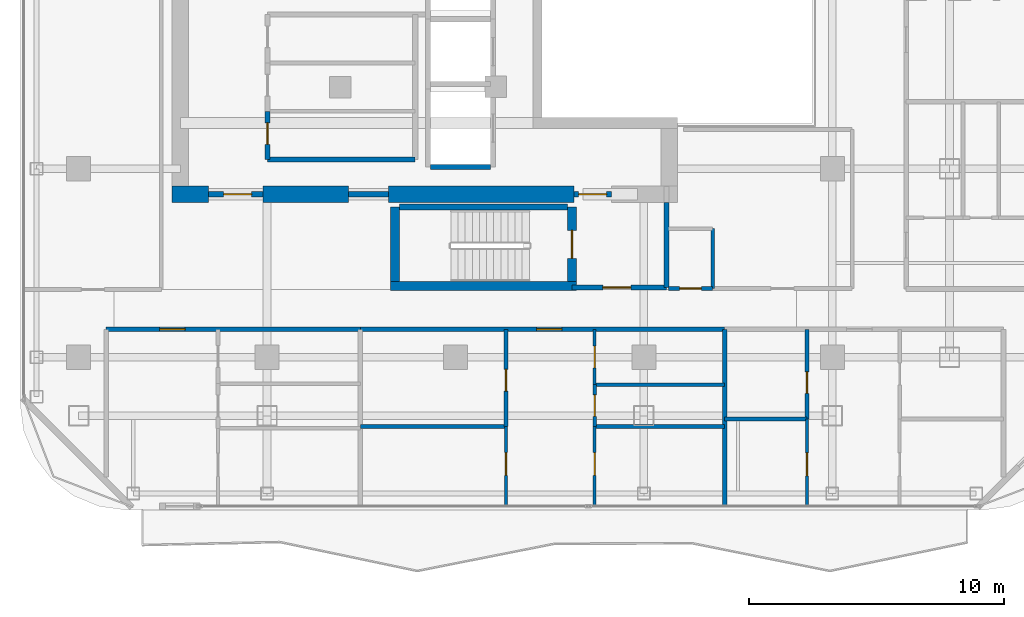
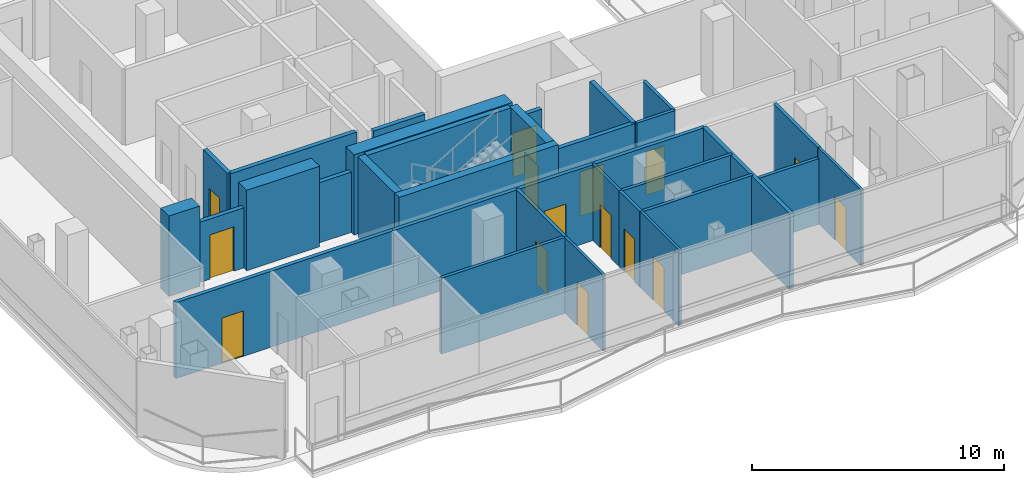
# One storey, part 17 of 24: 31 walls, 15 doors, 15 openings.
"""IFC4 building model written with IfcOpenShell, lengths in metres."""

from ifc_helpers import new_model, si_unit, direction, frame, frame_2d, origin, place, context, subcontext, project, spatial, rectangle, extrude, material, layer, layer_set, type_object, element, fill, save


model = new_model("IFC4")

# Units and contexts
model_context = context("Model", 3, precision=1e-05, world=origin(), true_north=direction((0.0, 1.0)))
body_context = subcontext(model_context, "Body", "Model", "MODEL_VIEW")
ifc_project = project(units=[si_unit("LENGTHUNIT", "METRE"), si_unit("AREAUNIT", "SQUARE_METRE"), si_unit("VOLUMEUNIT", "CUBIC_METRE"), si_unit("PLANEANGLEUNIT", "RADIAN"), si_unit("MASSUNIT", "GRAM", prefix="KILO")], contexts=[model_context])

# Site, building, storey
site_placement = place(None, origin())
site = spatial("IfcSite", under=ifc_project, at=site_placement, CompositionType="ELEMENT")
building_placement = place(site_placement, origin())
building = spatial("IfcBuilding", under=site, at=building_placement, Name="Khorvyn Point Tower", CompositionType="ELEMENT")
storey_placement = place(building_placement, frame((0.0, 0.0, 266.39990234375)))
storey = spatial("IfcBuildingStorey", under=building, at=storey_placement, Name="L65", CompositionType="ELEMENT", Elevation=266.39990234375)

# Wall, opening, door
ifc_material_1 = material(Name="Double acoustic gypsum on twin steel stud", Category="steel")
ifc_layer_1 = layer(ifc_material_1, 0.179931640625)
ifc_layer_set_1 = layer_set([ifc_layer_1], Name="Acoustic Double-Stud Apartment Demising Wall 180")
wall_type_1 = type_object("IfcWallType", Name="Acoustic Double-Stud Apartment Demising Wall 180", PredefinedType="PARTITIONING", material=ifc_layer_set_1)
wall_1_placement = place(storey_placement, frame((-13.719970703125, -13.699951171875, 0.0), z_axis=(0.0, 0.0, 1.0), x_axis=(1.0, 0.0, 0.0)))
wall_1 = element("IfcWall", 1, at=wall_1_placement, inside=storey, type_object=wall_type_1, Name="Wall", PredefinedType="PARTITIONING", context=body_context, shape_type="SweptSolid", body=[
    extrude(rectangle(XDim=9.98486328125, YDim=0.179931640625, at=frame_2d((4.992431640625, 0.0))), origin(), (0.0, 0.0, 1.0), 3.68017578125),
])
opening_1_placement = place(wall_1_placement, frame((2.105224609375, 0.0, 0.0)))
opening_1 = element("IfcOpeningElement", 2, at=opening_1_placement, cuts=wall_1, Name="Opening ID-AP60", PredefinedType="OPENING", context=body_context, shape_type="SweptSolid", body=[
    extrude(rectangle(XDim=1.0, YDim=2.199951171875, at=frame_2d((0.5, 1.10009765625))), frame((0.0, 0.099853515625, 0.0), z_axis=(0.0, -1.0, 0.0), x_axis=(1.0, 0.0, 0.0)), (0.0, 0.0, 1.0), 0.199951171875),
])
ifc_material_2 = material(Name="Engineered hardwood fire-rated leaf", Category="wood")
door_type_1 = type_object("IfcDoorType", Name="Acoustic Solid-Core Timber Apartment Entrance Door 1000x2200", OperationType="NOTDEFINED", PredefinedType="DOOR", material=ifc_material_2)
door_1_placement = place(opening_1_placement, origin())
door_1 = element("IfcDoor", 3, at=door_1_placement, inside=storey, type_object=door_type_1, Name="Door", OperationType="SINGLE_SWING_RIGHT", OverallHeight=2.199951171875, OverallWidth=1.0, PredefinedType="DOOR", context=body_context, shape_type="SweptSolid", body=[
    extrude(rectangle(XDim=1.0, YDim=2.199951171875, at=frame_2d((0.5, 1.10009765625))), frame((0.0, 0.02490234375, 0.0), z_axis=(0.0, -1.0, 0.0), x_axis=(1.0, 0.0, 0.0)), (0.0, 0.0, 1.0), 0.050048828125),
])
fill(opening_1, door_1)

wall_2_placement = place(storey_placement, frame((-3.735107421875, -13.699951171875, 0.0), z_axis=(0.0, 0.0, 1.0), x_axis=(1.0, 0.0, 0.0)))
wall_2 = element("IfcWall", 4, at=wall_2_placement, inside=storey, type_object=wall_type_1, Name="Wall", PredefinedType="PARTITIONING", context=body_context, shape_type="SweptSolid", body=[
    extrude(rectangle(XDim=14.301025390625, YDim=0.179931640625, at=frame_2d((7.150390625, 0.0))), origin(), (0.0, 0.0, 1.0), 3.68017578125),
])
opening_2_placement = place(wall_2_placement, frame((6.917236328125, 0.0, 0.0)))
opening_2 = element("IfcOpeningElement", 5, at=opening_2_placement, cuts=wall_2, Name="Opening ID-AP60", PredefinedType="OPENING", context=body_context, shape_type="SweptSolid", body=[
    extrude(rectangle(XDim=1.0, YDim=2.199951171875, at=frame_2d((0.5, 1.10009765625))), frame((0.0, 0.099853515625, 0.0), z_axis=(0.0, -1.0, 0.0), x_axis=(1.0, 0.0, 0.0)), (0.0, 0.0, 1.0), 0.199951171875),
])
door_2_placement = place(opening_2_placement, origin())
door_2 = element("IfcDoor", 6, at=door_2_placement, inside=storey, type_object=door_type_1, Name="Door", OperationType="SINGLE_SWING_RIGHT", OverallHeight=2.199951171875, OverallWidth=1.0, PredefinedType="DOOR", context=body_context, shape_type="SweptSolid", body=[
    extrude(rectangle(XDim=1.0, YDim=2.199951171875, at=frame_2d((0.5, 1.10009765625))), frame((0.0, 0.02490234375, 0.0), z_axis=(0.0, -1.0, 0.0), x_axis=(1.0, 0.0, 0.0)), (0.0, 0.0, 1.0), 0.050048828125),
])
fill(opening_2, door_2)

# Walls
wall_3_placement = place(storey_placement, frame((10.56591796875, -20.6298828125, 0.0), z_axis=(0.0, 0.0, 1.0), x_axis=(0.0, 1.0, 0.0)))
element("IfcWall", 7, at=wall_3_placement, inside=storey, type_object=wall_type_1, Name="Wall", PredefinedType="PARTITIONING", context=body_context, shape_type="SweptSolid", body=[
    extrude(rectangle(XDim=6.929931640625, YDim=0.179931640625, at=frame_2d((3.46484375, 0.0))), origin(), (0.0, 0.0, 1.0), 3.68017578125),
])
ifc_material_3 = material(Name="Concrete C40/50", Category="concrete")
ifc_layer_2 = layer(ifc_material_3, 0.64990234375)
ifc_layer_set_2 = layer_set([ifc_layer_2], Name="Concrete C40/50 Core Shear Wall 650")
wall_type_2 = type_object("IfcWallType", Name="Concrete C40/50 Core Shear Wall 650", PredefinedType="SHEAR", material=ifc_layer_set_2)
wall_4_placement = place(storey_placement, frame((-11.125, -8.39990234375, 0.0), z_axis=(0.0, 0.0, 1.0), x_axis=(1.0, 0.0, 0.0)))
element("IfcWall", 8, at=wall_4_placement, inside=storey, type_object=wall_type_2, Name="Wall", PredefinedType="SHEAR", context=body_context, shape_type="SweptSolid", body=[
    extrude(rectangle(XDim=1.425048828125, YDim=0.64990234375, at=frame_2d((0.71240234375, 0.0))), origin(), (0.0, 0.0, 1.0), 3.900146484375),
])
wall_5_placement = place(storey_placement, frame((-7.550048828125, -8.39990234375, 0.0), z_axis=(0.0, 0.0, 1.0), x_axis=(1.0, 0.0, 0.0)))
element("IfcWall", 9, at=wall_5_placement, inside=storey, type_object=wall_type_2, Name="Wall", PredefinedType="SHEAR", context=body_context, shape_type="SweptSolid", body=[
    extrude(rectangle(XDim=3.35009765625, YDim=0.64990234375, at=frame_2d((1.675048828125, 0.0))), origin(), (0.0, 0.0, 1.0), 3.900146484375),
])
wall_6_placement = place(storey_placement, frame((-2.6201171875, -8.39990234375, 0.0), z_axis=(0.0, 0.0, 1.0), x_axis=(1.0, 0.0, 0.0)))
element("IfcWall", 10, at=wall_6_placement, inside=storey, type_object=wall_type_2, Name="Wall", PredefinedType="SHEAR", context=body_context, shape_type="SweptSolid", body=[
    extrude(rectangle(XDim=7.27001953125, YDim=0.64990234375, at=frame_2d((3.635009765625, 0.0))), origin(), (0.0, 0.0, 1.0), 3.900146484375),
])

# Wall, opening, door
ifc_layer_3 = layer(ifc_material_3, 0.199951171875)
ifc_layer_set_3 = layer_set([ifc_layer_3], Name="Concrete C40/50 Fire-Lobby Compartment Wall 200")
wall_type_3 = type_object("IfcWallType", Name="Concrete C40/50 Fire-Lobby Compartment Wall 200", PredefinedType="SOLIDWALL", material=ifc_layer_set_3)
wall_7_placement = place(storey_placement, frame((4.580078125, -12.06005859375, 0.0), z_axis=(0.0, 0.0, 1.0), x_axis=(1.0, 0.0, 0.0)))
wall_7 = element("IfcWall", 11, at=wall_7_placement, inside=storey, type_object=wall_type_3, Name="Wall", PredefinedType="SOLIDWALL", context=body_context, shape_type="SweptSolid", body=[
    extrude(rectangle(XDim=3.699951171875, YDim=0.199951171875, at=frame_2d((1.85009765625, 0.0))), origin(), (0.0, 0.0, 1.0), 3.68017578125),
])
opening_3_placement = place(wall_7_placement, frame((1.21240234375, 0.0, 0.0)))
opening_3 = element("IfcOpeningElement", 12, at=opening_3_placement, cuts=wall_7, Name="Opening ID-FL90", PredefinedType="OPENING", context=body_context, shape_type="SweptSolid", body=[
    extrude(rectangle(XDim=1.10009765625, YDim=2.14990234375, at=frame_2d((0.550048828125, 1.074951171875))), frame((0.0, 0.10986328125, 0.0), z_axis=(0.0, -1.0, 0.0), x_axis=(1.0, 0.0, 0.0)), (0.0, 0.0, 1.0), 0.219970703125),
])
ifc_material_4 = material(Name="Galvanised powder-coated steel", Category="steel")
door_type_2 = type_object("IfcDoorType", Name="Fire-Rated Steel Lobby and Stair Door 1100x2150", OperationType="NOTDEFINED", PredefinedType="DOOR", material=ifc_material_4)
door_3_placement = place(opening_3_placement, origin())
door_3 = element("IfcDoor", 13, at=door_3_placement, inside=storey, type_object=door_type_2, Name="Door", OperationType="SINGLE_SWING_LEFT", OverallHeight=2.14990234375, OverallWidth=1.10009765625, PredefinedType="DOOR", context=body_context, shape_type="SweptSolid", body=[
    extrude(rectangle(XDim=1.10009765625, YDim=2.14990234375, at=frame_2d((0.550048828125, 1.074951171875))), frame((0.0, 0.02490234375, 0.0), z_axis=(0.0, -1.0, 0.0), x_axis=(1.0, 0.0, 0.0)), (0.0, 0.0, 1.0), 0.050048828125),
])
fill(opening_3, door_3)

wall_8_placement = place(storey_placement, frame((4.64990234375, -8.39990234375, 0.0), z_axis=(0.0, 0.0, 1.0), x_axis=(1.0, 0.0, 0.0)))
wall_8 = element("IfcWall", 14, at=wall_8_placement, inside=storey, type_object=wall_type_3, Name="Wall", PredefinedType="SOLIDWALL", context=body_context, shape_type="SweptSolid", body=[
    extrude(rectangle(XDim=1.47021484375, YDim=0.199951171875, at=frame_2d((0.735107421875, 0.0))), origin(), (0.0, 0.0, 1.0), 2.920166015625),
])
opening_4_placement = place(wall_8_placement, frame((0.18505859375, 0.0, 0.0)))
opening_4 = element("IfcOpeningElement", 15, at=opening_4_placement, cuts=wall_8, Name="Opening ID-FL90", PredefinedType="OPENING", context=body_context, shape_type="SweptSolid", body=[
    extrude(rectangle(XDim=1.10009765625, YDim=2.14990234375, at=frame_2d((0.550048828125, 1.074951171875))), frame((0.0, 0.10986328125, 0.0), z_axis=(0.0, -1.0, 0.0), x_axis=(1.0, 0.0, 0.0)), (0.0, 0.0, 1.0), 0.219970703125),
])
door_4_placement = place(opening_4_placement, origin())
door_4 = element("IfcDoor", 16, at=door_4_placement, inside=storey, type_object=door_type_2, Name="Door", OperationType="SINGLE_SWING_RIGHT", OverallHeight=2.14990234375, OverallWidth=1.10009765625, PredefinedType="DOOR", context=body_context, shape_type="SweptSolid", body=[
    extrude(rectangle(XDim=1.10009765625, YDim=2.14990234375, at=frame_2d((0.550048828125, 1.074951171875))), frame((0.0, 0.02490234375, 0.0), z_axis=(0.0, -1.0, 0.0), x_axis=(1.0, 0.0, 0.0)), (0.0, 0.0, 1.0), 0.050048828125),
])
fill(opening_4, door_4)

wall_9_placement = place(storey_placement, frame((-9.699951171875, -8.39990234375, 0.0), z_axis=(0.0, 0.0, 1.0), x_axis=(1.0, 0.0, 0.0)))
wall_9 = element("IfcWall", 17, at=wall_9_placement, inside=storey, type_object=wall_type_3, Name="Wall", PredefinedType="SOLIDWALL", context=body_context, shape_type="SweptSolid", body=[
    extrude(rectangle(XDim=2.14990234375, YDim=0.199951171875, at=frame_2d((1.074951171875, 0.0))), origin(), (0.0, 0.0, 1.0), 2.920166015625),
])
opening_5_placement = place(wall_9_placement, frame((0.597900390625, 0.0, 0.0)))
opening_5 = element("IfcOpeningElement", 18, at=opening_5_placement, cuts=wall_9, Name="Opening ID-FL90", PredefinedType="OPENING", context=body_context, shape_type="SweptSolid", body=[
    extrude(rectangle(XDim=1.10009765625, YDim=2.14990234375, at=frame_2d((0.550048828125, 1.074951171875))), frame((0.0, 0.10986328125, 0.0), z_axis=(0.0, -1.0, 0.0), x_axis=(1.0, 0.0, 0.0)), (0.0, 0.0, 1.0), 0.219970703125),
])
door_5_placement = place(opening_5_placement, origin())
door_5 = element("IfcDoor", 19, at=door_5_placement, inside=storey, type_object=door_type_2, Name="Door", OperationType="SINGLE_SWING_RIGHT", OverallHeight=2.14990234375, OverallWidth=1.10009765625, PredefinedType="DOOR", context=body_context, shape_type="SweptSolid", body=[
    extrude(rectangle(XDim=1.10009765625, YDim=2.14990234375, at=frame_2d((0.550048828125, 1.074951171875))), frame((0.0, 0.02490234375, 0.0), z_axis=(0.0, -1.0, 0.0), x_axis=(1.0, 0.0, 0.0)), (0.0, 0.0, 1.0), 0.050048828125),
])
fill(opening_5, door_5)

wall_10_placement = place(storey_placement, frame((-7.3798828125, -7.0400390625, 0.0), z_axis=(0.0, 0.0, 1.0), x_axis=(0.0, 1.0, 0.0)))
wall_10 = element("IfcWall", 20, at=wall_10_placement, inside=storey, type_object=wall_type_3, Name="Wall", PredefinedType="SOLIDWALL", context=body_context, shape_type="SweptSolid", body=[
    extrude(rectangle(XDim=1.900146484375, YDim=0.199951171875, at=frame_2d((0.9501953125, 0.0))), origin(), (0.0, 0.0, 1.0), 3.68017578125),
])
opening_6_placement = place(wall_10_placement, frame((0.597900390625, 0.0, 0.0)))
opening_6 = element("IfcOpeningElement", 21, at=opening_6_placement, cuts=wall_10, Name="Opening ID-WC85", PredefinedType="OPENING", context=body_context, shape_type="SweptSolid", body=[
    extrude(rectangle(XDim=0.85009765625, YDim=2.10009765625, at=frame_2d((0.425048828125, 1.050048828125))), frame((0.0, 0.10986328125, 0.0), z_axis=(0.0, -1.0, 0.0), x_axis=(1.0, 0.0, 0.0)), (0.0, 0.0, 1.0), 0.219970703125),
])
ifc_material_5 = material(Name="High-pressure laminate on moisture-resistant core", Category="wood")
door_type_3 = type_object("IfcDoorType", Name="Moisture-Resistant Accessible Washroom Door 850x2100", OperationType="NOTDEFINED", PredefinedType="DOOR", material=ifc_material_5)
door_6_placement = place(opening_6_placement, origin())
door_6 = element("IfcDoor", 22, at=door_6_placement, inside=storey, type_object=door_type_3, Name="Door", OperationType="SINGLE_SWING_RIGHT", OverallHeight=2.10009765625, OverallWidth=0.85009765625, PredefinedType="DOOR", context=body_context, shape_type="SweptSolid", body=[
    extrude(rectangle(XDim=0.85009765625, YDim=2.10009765625, at=frame_2d((0.425048828125, 1.050048828125))), frame((0.0, 0.02490234375, 0.0), z_axis=(0.0, -1.0, 0.0), x_axis=(1.0, 0.0, 0.0)), (0.0, 0.0, 1.0), 0.050048828125),
])
fill(opening_6, door_6)

# Walls
wall_11_placement = place(storey_placement, frame((8.280029296875, -12.06005859375, 0.0), z_axis=(0.0, 0.0, 1.0), x_axis=(0.0, 1.0, 0.0)))
element("IfcWall", 23, at=wall_11_placement, inside=storey, type_object=wall_type_3, Name="Wall", PredefinedType="SOLIDWALL", context=body_context, shape_type="SweptSolid", body=[
    extrude(rectangle(XDim=3.3349609375, YDim=0.199951171875, at=frame_2d((1.66748046875, 0.0))), origin(), (0.0, 0.0, 1.0), 3.68017578125),
])
wall_12_placement = place(storey_placement, frame((-4.199951171875, -8.39990234375, 0.0), z_axis=(0.0, 0.0, 1.0), x_axis=(1.0, 0.0, 0.0)))
element("IfcWall", 24, at=wall_12_placement, inside=storey, type_object=wall_type_3, Name="Wall", PredefinedType="SOLIDWALL", context=body_context, shape_type="SweptSolid", body=[
    extrude(rectangle(XDim=1.579833984375, YDim=0.199951171875, at=frame_2d((0.7900390625, 0.0))), origin(), (0.0, 0.0, 1.0), 2.920166015625),
])
wall_13_placement = place(storey_placement, frame((-7.3798828125, -7.0400390625, 0.0), z_axis=(0.0, 0.0, 1.0), x_axis=(1.0, 0.0, 0.0)))
element("IfcWall", 25, at=wall_13_placement, inside=storey, type_object=wall_type_3, Name="Wall", PredefinedType="SOLIDWALL", context=body_context, shape_type="SweptSolid", body=[
    extrude(rectangle(XDim=5.7998046875, YDim=0.199951171875, at=frame_2d((2.89990234375, 0.0))), origin(), (0.0, 0.0, 1.0), 3.68017578125),
])
ifc_layer_4 = layer(ifc_material_3, 0.25)
ifc_layer_set_4 = layer_set([ifc_layer_4], Name="Concrete C40/50 Stair Inner Cheek Structural Wall 250")
wall_type_4 = type_object("IfcWallType", Name="Concrete C40/50 Stair Inner Cheek Structural Wall 250", PredefinedType="SHEAR", material=ifc_layer_set_4)
wall_14_placement = place(storey_placement, frame((-2.199951171875, -8.89990234375, 0.0), z_axis=(0.0, 0.0, 1.0), x_axis=(1.0, 0.0, 0.0)))
element("IfcWall", 26, at=wall_14_placement, inside=storey, type_object=wall_type_4, Name="Wall", PredefinedType="SHEAR", context=body_context, shape_type="SweptSolid", body=[
    extrude(rectangle(XDim=6.599853515625, YDim=0.25, at=frame_2d((3.2998046875, 0.0))), origin(), (0.0, 0.0, 1.0), 3.900146484375),
])
ifc_layer_5 = layer(ifc_material_3, 0.35009765625)
ifc_layer_set_5 = layer_set([ifc_layer_5], Name="Concrete C40/50 Stair Shaft Structural Wall 350")
wall_type_5 = type_object("IfcWallType", Name="Concrete C40/50 Stair Shaft Structural Wall 350", PredefinedType="SHEAR", material=ifc_layer_set_5)
wall_15_placement = place(storey_placement, frame((-2.554931640625, -12.0, 0.0), z_axis=(0.0, 0.0, 1.0), x_axis=(1.0, 0.0, 0.0)))
element("IfcWall", 27, at=wall_15_placement, inside=storey, type_object=wall_type_5, Name="L65 ST-01 South Shaft Wall", PredefinedType="SHEAR", context=body_context, shape_type="SweptSolid", body=[
    extrude(rectangle(XDim=7.309814453125, YDim=0.35009765625, at=frame_2d((3.65478515625, 0.0))), origin(), (0.0, 0.0, 1.0), 3.900146484375),
])
wall_16_placement = place(storey_placement, frame((-2.3798828125, -11.824951171875, 0.0), z_axis=(0.0, 0.0, 1.0), x_axis=(0.0, 1.0, 0.0)))
element("IfcWall", 28, at=wall_16_placement, inside=storey, type_object=wall_type_5, Name="L65 ST-01 West Shaft Wall", PredefinedType="SHEAR", context=body_context, shape_type="SweptSolid", body=[
    extrude(rectangle(XDim=2.925048828125, YDim=0.35009765625, at=frame_2d((1.46240234375, 0.0))), origin(), (0.0, 0.0, 1.0), 3.900146484375),
])

# Wall, opening, door
wall_17_placement = place(storey_placement, frame((4.580078125, -8.89990234375, 0.0), z_axis=(0.0, 0.0, 1.0), x_axis=(0.0, -1.0, 0.0)))
wall_17 = element("IfcWall", 29, at=wall_17_placement, inside=storey, type_object=wall_type_5, Name="L65 ST-01 East Landing Door Wall", PredefinedType="SHEAR", context=body_context, shape_type="SweptSolid", body=[
    extrude(rectangle(XDim=2.925048828125, YDim=0.35009765625, at=frame_2d((1.46240234375, 0.0))), origin(), (0.0, 0.0, 1.0), 3.900146484375),
])
opening_7_placement = place(wall_17_placement, frame((0.91259765625, 0.0, 0.0)))
opening_7 = element("IfcOpeningElement", 30, at=opening_7_placement, cuts=wall_17, Name="Opening ID-FL90", PredefinedType="OPENING", context=body_context, shape_type="SweptSolid", body=[
    extrude(rectangle(XDim=1.10009765625, YDim=2.14990234375, at=frame_2d((0.550048828125, 1.074951171875))), frame((0.0, 0.18505859375, 0.0), z_axis=(0.0, -1.0, 0.0), x_axis=(1.0, 0.0, 0.0)), (0.0, 0.0, 1.0), 0.3701171875),
])
door_7_placement = place(opening_7_placement, origin())
door_7 = element("IfcDoor", 31, at=door_7_placement, inside=storey, type_object=door_type_2, Name="L65 ST-01 Smokeproof Landing Door", OperationType="SINGLE_SWING_LEFT", OverallHeight=2.14990234375, OverallWidth=1.10009765625, PredefinedType="DOOR", context=body_context, shape_type="SweptSolid", body=[
    extrude(rectangle(XDim=1.10009765625, YDim=2.14990234375, at=frame_2d((0.550048828125, 1.074951171875))), frame((0.0, 0.02490234375, 0.0), z_axis=(0.0, -1.0, 0.0), x_axis=(1.0, 0.0, 0.0)), (0.0, 0.0, 1.0), 0.050048828125),
])
fill(opening_7, door_7)

# Wall
ifc_layer_6 = layer(ifc_material_3, 0.199951171875)
ifc_layer_set_6 = layer_set([ifc_layer_6], Name="Concrete C40/50 Structural Hoistway and Stair Shaft Wall 200")
wall_type_6 = type_object("IfcWallType", Name="Concrete C40/50 Structural Hoistway and Stair Shaft Wall 200", PredefinedType="SHEAR", material=ifc_layer_set_6)
wall_18_placement = place(storey_placement, frame((-0.97509765625, -7.324951171875, 0.0), z_axis=(0.0, 0.0, 1.0), x_axis=(1.0, 0.0, 0.0)))
element("IfcWall", 32, at=wall_18_placement, inside=storey, type_object=wall_type_6, Name="Wall", PredefinedType="SHEAR", context=body_context, shape_type="SweptSolid", body=[
    extrude(rectangle(XDim=2.35009765625, YDim=0.199951171875, at=frame_2d((1.175048828125, 0.0))), origin(), (0.0, 0.0, 1.0), 3.68017578125),
])

# Wall, opening, door
ifc_material_6 = material(Name="Gypsum plasterboard on steel stud", Category="steel")
ifc_layer_7 = layer(ifc_material_6, 0.1201171875)
ifc_layer_set_7 = layer_set([ifc_layer_7], Name="Gypsum Acoustic Stud Room Partition Wall 120")
wall_type_7 = type_object("IfcWallType", Name="Gypsum Acoustic Stud Room Partition Wall 120", PredefinedType="PARTITIONING", material=ifc_layer_set_7)
wall_19_placement = place(storey_placement, frame((1.985107421875, -20.6298828125, 0.0), z_axis=(0.0, 0.0, 1.0), x_axis=(0.0, 1.0, 0.0)))
wall_19 = element("IfcWall", 33, at=wall_19_placement, inside=storey, type_object=wall_type_7, Name="Wall", PredefinedType="PARTITIONING", context=body_context, shape_type="SweptSolid", body=[
    extrude(rectangle(XDim=3.10595703125, YDim=0.1201171875, at=frame_2d((1.552978515625, 0.0))), origin(), (0.0, 0.0, 1.0), 3.68017578125),
])
opening_8_placement = place(wall_19_placement, frame((1.188720703125, 0.0, 0.0)))
opening_8 = element("IfcOpeningElement", 34, at=opening_8_placement, cuts=wall_19, Name="Opening ID-RM90", PredefinedType="OPENING", context=body_context, shape_type="SweptSolid", body=[
    extrude(rectangle(XDim=0.89990234375, YDim=2.10009765625, at=frame_2d((0.449951171875, 1.050048828125))), frame((0.0, 0.070068359375, 0.0), z_axis=(0.0, -1.0, 0.0), x_axis=(1.0, 0.0, 0.0)), (0.0, 0.0, 1.0), 0.14013671875),
])
ifc_material_7 = material(Name="Engineered oak veneer timber", Category="wood")
door_type_4 = type_object("IfcDoorType", Name="Flush Engineered Timber Room Door 900x2100", OperationType="NOTDEFINED", PredefinedType="DOOR", material=ifc_material_7)
door_8_placement = place(opening_8_placement, origin())
door_8 = element("IfcDoor", 35, at=door_8_placement, inside=storey, type_object=door_type_4, Name="Door", OperationType="SINGLE_SWING_RIGHT", OverallHeight=2.10009765625, OverallWidth=0.89990234375, PredefinedType="DOOR", context=body_context, shape_type="SweptSolid", body=[
    extrude(rectangle(XDim=0.89990234375, YDim=2.10009765625, at=frame_2d((0.449951171875, 1.050048828125))), frame((0.0, 0.02490234375, 0.0), z_axis=(0.0, -1.0, 0.0), x_axis=(1.0, 0.0, 0.0)), (0.0, 0.0, 1.0), 0.050048828125),
])
fill(opening_8, door_8)

wall_20_placement = place(storey_placement, frame((5.468017578125, -15.8759765625, 0.0), z_axis=(0.0, 0.0, 1.0), x_axis=(0.0, 1.0, 0.0)))
wall_20 = element("IfcWall", 36, at=wall_20_placement, inside=storey, type_object=wall_type_7, Name="Wall", PredefinedType="PARTITIONING", context=body_context, shape_type="SweptSolid", body=[
    extrude(rectangle(XDim=2.176025390625, YDim=0.1201171875, at=frame_2d((1.087890625, 0.0))), origin(), (0.0, 0.0, 1.0), 3.68017578125),
])
opening_9_placement = place(wall_20_placement, frame((0.6630859375, 0.0, 0.0)))
opening_9 = element("IfcOpeningElement", 37, at=opening_9_placement, cuts=wall_20, Name="Opening ID-WC85", PredefinedType="OPENING", context=body_context, shape_type="SweptSolid", body=[
    extrude(rectangle(XDim=0.85009765625, YDim=2.10009765625, at=frame_2d((0.425048828125, 1.050048828125))), frame((0.0, 0.070068359375, 0.0), z_axis=(0.0, -1.0, 0.0), x_axis=(1.0, 0.0, 0.0)), (0.0, 0.0, 1.0), 0.14013671875),
])
door_9_placement = place(opening_9_placement, origin())
door_9 = element("IfcDoor", 38, at=door_9_placement, inside=storey, type_object=door_type_3, Name="Door", OperationType="SINGLE_SWING_RIGHT", OverallHeight=2.10009765625, OverallWidth=0.85009765625, PredefinedType="DOOR", context=body_context, shape_type="SweptSolid", body=[
    extrude(rectangle(XDim=0.85009765625, YDim=2.10009765625, at=frame_2d((0.425048828125, 1.050048828125))), frame((0.0, 0.02490234375, 0.0), z_axis=(0.0, -1.0, 0.0), x_axis=(1.0, 0.0, 0.0)), (0.0, 0.0, 1.0), 0.050048828125),
])
fill(opening_9, door_9)

wall_21_placement = place(storey_placement, frame((5.468017578125, -20.6298828125, 0.0), z_axis=(0.0, 0.0, 1.0), x_axis=(0.0, 1.0, 0.0)))
wall_21 = element("IfcWall", 39, at=wall_21_placement, inside=storey, type_object=wall_type_7, Name="Wall", PredefinedType="PARTITIONING", context=body_context, shape_type="SweptSolid", body=[
    extrude(rectangle(XDim=3.10595703125, YDim=0.1201171875, at=frame_2d((1.552978515625, 0.0))), origin(), (0.0, 0.0, 1.0), 3.68017578125),
])
opening_10_placement = place(wall_21_placement, frame((1.188720703125, 0.0, 0.0)))
opening_10 = element("IfcOpeningElement", 40, at=opening_10_placement, cuts=wall_21, Name="Opening ID-RM90", PredefinedType="OPENING", context=body_context, shape_type="SweptSolid", body=[
    extrude(rectangle(XDim=0.89990234375, YDim=2.10009765625, at=frame_2d((0.449951171875, 1.050048828125))), frame((0.0, 0.070068359375, 0.0), z_axis=(0.0, -1.0, 0.0), x_axis=(1.0, 0.0, 0.0)), (0.0, 0.0, 1.0), 0.14013671875),
])
door_10_placement = place(opening_10_placement, origin())
door_10 = element("IfcDoor", 41, at=door_10_placement, inside=storey, type_object=door_type_4, Name="Door", OperationType="SINGLE_SWING_LEFT", OverallHeight=2.10009765625, OverallWidth=0.89990234375, PredefinedType="DOOR", context=body_context, shape_type="SweptSolid", body=[
    extrude(rectangle(XDim=0.89990234375, YDim=2.10009765625, at=frame_2d((0.449951171875, 1.050048828125))), frame((0.0, 0.02490234375, 0.0), z_axis=(0.0, -1.0, 0.0), x_axis=(1.0, 0.0, 0.0)), (0.0, 0.0, 1.0), 0.050048828125),
])
fill(opening_10, door_10)

wall_22_placement = place(storey_placement, frame((13.804931640625, -20.6298828125, 0.0), z_axis=(0.0, 0.0, 1.0), x_axis=(0.0, 1.0, 0.0)))
wall_22 = element("IfcWall", 42, at=wall_22_placement, inside=storey, type_object=wall_type_7, Name="Wall", PredefinedType="PARTITIONING", context=body_context, shape_type="SweptSolid", body=[
    extrude(rectangle(XDim=3.410888671875, YDim=0.1201171875, at=frame_2d((1.70556640625, 0.0))), origin(), (0.0, 0.0, 1.0), 3.68017578125),
])
opening_11_placement = place(wall_22_placement, frame((1.171142578125, 0.0, 0.0)))
opening_11 = element("IfcOpeningElement", 43, at=opening_11_placement, cuts=wall_22, Name="Opening ID-RM90", PredefinedType="OPENING", context=body_context, shape_type="SweptSolid", body=[
    extrude(rectangle(XDim=0.89990234375, YDim=2.10009765625, at=frame_2d((0.449951171875, 1.050048828125))), frame((0.0, 0.070068359375, 0.0), z_axis=(0.0, -1.0, 0.0), x_axis=(1.0, 0.0, 0.0)), (0.0, 0.0, 1.0), 0.14013671875),
])
door_11_placement = place(opening_11_placement, origin())
door_11 = element("IfcDoor", 44, at=door_11_placement, inside=storey, type_object=door_type_4, Name="Door", OperationType="SINGLE_SWING_RIGHT", OverallHeight=2.10009765625, OverallWidth=0.89990234375, PredefinedType="DOOR", context=body_context, shape_type="SweptSolid", body=[
    extrude(rectangle(XDim=0.89990234375, YDim=2.10009765625, at=frame_2d((0.449951171875, 1.050048828125))), frame((0.0, 0.02490234375, 0.0), z_axis=(0.0, -1.0, 0.0), x_axis=(1.0, 0.0, 0.0)), (0.0, 0.0, 1.0), 0.050048828125),
])
fill(opening_11, door_11)

ifc_material_8 = material(Name="Moisture-resistant gypsum and cement board", Category="gypsum")
ifc_layer_8 = layer(ifc_material_8, 0.14990234375)
ifc_layer_set_8 = layer_set([ifc_layer_8], Name="Moisture-Resistant Wet-Room Partition Wall 150")
wall_type_8 = type_object("IfcWallType", Name="Moisture-Resistant Wet-Room Partition Wall 150", PredefinedType="PARTITIONING", material=ifc_layer_set_8)
wall_23_placement = place(storey_placement, frame((8.360107421875, -12.10009765625, 0.0), z_axis=(0.0, 0.0, 1.0), x_axis=(1.0, 0.0, 0.0)))
wall_23 = element("IfcWall", 45, at=wall_23_placement, inside=storey, type_object=wall_type_8, Name="Wall", PredefinedType="PARTITIONING", context=body_context, shape_type="SweptSolid", body=[
    extrude(rectangle(XDim=1.739990234375, YDim=0.14990234375, at=frame_2d((0.8701171875, 0.0))), origin(), (0.0, 0.0, 1.0), 3.68017578125),
])
opening_12_placement = place(wall_23_placement, frame((0.445068359375, 0.0, 0.0)))
opening_12 = element("IfcOpeningElement", 46, at=opening_12_placement, cuts=wall_23, Name="Opening ID-WC85", PredefinedType="OPENING", context=body_context, shape_type="SweptSolid", body=[
    extrude(rectangle(XDim=0.85009765625, YDim=2.10009765625, at=frame_2d((0.425048828125, 1.050048828125))), frame((0.0, 0.0849609375, 0.0), z_axis=(0.0, -1.0, 0.0), x_axis=(1.0, 0.0, 0.0)), (0.0, 0.0, 1.0), 0.169921875),
])
door_12_placement = place(opening_12_placement, origin())
door_12 = element("IfcDoor", 47, at=door_12_placement, inside=storey, type_object=door_type_3, Name="Door", OperationType="SINGLE_SWING_RIGHT", OverallHeight=2.10009765625, OverallWidth=0.85009765625, PredefinedType="DOOR", context=body_context, shape_type="SweptSolid", body=[
    extrude(rectangle(XDim=0.85009765625, YDim=2.10009765625, at=frame_2d((0.425048828125, 1.050048828125))), frame((0.0, 0.02490234375, 0.0), z_axis=(0.0, -1.0, 0.0), x_axis=(1.0, 0.0, 0.0)), (0.0, 0.0, 1.0), 0.050048828125),
])
fill(opening_12, door_12)

wall_24_placement = place(storey_placement, frame((1.985107421875, -17.52392578125, 0.0), z_axis=(0.0, 0.0, 1.0), x_axis=(0.0, 1.0, 0.0)))
wall_24 = element("IfcWall", 48, at=wall_24_placement, inside=storey, type_object=wall_type_8, Name="Wall", PredefinedType="PARTITIONING", context=body_context, shape_type="SweptSolid", body=[
    extrude(rectangle(XDim=3.823974609375, YDim=0.14990234375, at=frame_2d((1.912109375, 0.0))), origin(), (0.0, 0.0, 1.0), 3.68017578125),
])
opening_13_placement = place(wall_24_placement, frame((1.3984375, 0.0, 0.0)))
opening_13 = element("IfcOpeningElement", 49, at=opening_13_placement, cuts=wall_24, Name="Opening ID-WC85", PredefinedType="OPENING", context=body_context, shape_type="SweptSolid", body=[
    extrude(rectangle(XDim=0.85009765625, YDim=2.10009765625, at=frame_2d((0.425048828125, 1.050048828125))), frame((0.0, 0.0849609375, 0.0), z_axis=(0.0, -1.0, 0.0), x_axis=(1.0, 0.0, 0.0)), (0.0, 0.0, 1.0), 0.169921875),
])
door_13_placement = place(opening_13_placement, origin())
door_13 = element("IfcDoor", 50, at=door_13_placement, inside=storey, type_object=door_type_3, Name="Door", OperationType="SINGLE_SWING_LEFT", OverallHeight=2.10009765625, OverallWidth=0.85009765625, PredefinedType="DOOR", context=body_context, shape_type="SweptSolid", body=[
    extrude(rectangle(XDim=0.85009765625, YDim=2.10009765625, at=frame_2d((0.425048828125, 1.050048828125))), frame((0.0, 0.02490234375, 0.0), z_axis=(0.0, -1.0, 0.0), x_axis=(1.0, 0.0, 0.0)), (0.0, 0.0, 1.0), 0.050048828125),
])
fill(opening_13, door_13)

wall_25_placement = place(storey_placement, frame((5.468017578125, -17.52392578125, 0.0), z_axis=(0.0, 0.0, 1.0), x_axis=(0.0, 1.0, 0.0)))
wall_25 = element("IfcWall", 51, at=wall_25_placement, inside=storey, type_object=wall_type_8, Name="Wall", PredefinedType="PARTITIONING", context=body_context, shape_type="SweptSolid", body=[
    extrude(rectangle(XDim=1.64794921875, YDim=0.14990234375, at=frame_2d((0.823974609375, 0.0))), origin(), (0.0, 0.0, 1.0), 3.68017578125),
])
opening_14_placement = place(wall_25_placement, frame((0.39892578125, 0.0, 0.0)))
opening_14 = element("IfcOpeningElement", 52, at=opening_14_placement, cuts=wall_25, Name="Opening ID-WC85", PredefinedType="OPENING", context=body_context, shape_type="SweptSolid", body=[
    extrude(rectangle(XDim=0.85009765625, YDim=2.10009765625, at=frame_2d((0.425048828125, 1.050048828125))), frame((0.0, 0.0849609375, 0.0), z_axis=(0.0, -1.0, 0.0), x_axis=(1.0, 0.0, 0.0)), (0.0, 0.0, 1.0), 0.169921875),
])
door_14_placement = place(opening_14_placement, origin())
door_14 = element("IfcDoor", 53, at=door_14_placement, inside=storey, type_object=door_type_3, Name="Door", OperationType="SINGLE_SWING_LEFT", OverallHeight=2.10009765625, OverallWidth=0.85009765625, PredefinedType="DOOR", context=body_context, shape_type="SweptSolid", body=[
    extrude(rectangle(XDim=0.85009765625, YDim=2.10009765625, at=frame_2d((0.425048828125, 1.050048828125))), frame((0.0, 0.02490234375, 0.0), z_axis=(0.0, -1.0, 0.0), x_axis=(1.0, 0.0, 0.0)), (0.0, 0.0, 1.0), 0.050048828125),
])
fill(opening_14, door_14)

wall_26_placement = place(storey_placement, frame((13.804931640625, -17.218994140625, 0.0), z_axis=(0.0, 0.0, 1.0), x_axis=(0.0, 1.0, 0.0)))
wall_26 = element("IfcWall", 54, at=wall_26_placement, inside=storey, type_object=wall_type_8, Name="Wall", PredefinedType="PARTITIONING", context=body_context, shape_type="SweptSolid", body=[
    extrude(rectangle(XDim=3.51904296875, YDim=0.14990234375, at=frame_2d((1.759521484375, 0.0))), origin(), (0.0, 0.0, 1.0), 3.68017578125),
])
opening_15_placement = place(wall_26_placement, frame((0.998779296875, 0.0, 0.0)))
opening_15 = element("IfcOpeningElement", 55, at=opening_15_placement, cuts=wall_26, Name="Opening ID-WC85", PredefinedType="OPENING", context=body_context, shape_type="SweptSolid", body=[
    extrude(rectangle(XDim=0.85009765625, YDim=2.10009765625, at=frame_2d((0.425048828125, 1.050048828125))), frame((0.0, 0.0849609375, 0.0), z_axis=(0.0, -1.0, 0.0), x_axis=(1.0, 0.0, 0.0)), (0.0, 0.0, 1.0), 0.169921875),
])
door_15_placement = place(opening_15_placement, origin())
door_15 = element("IfcDoor", 56, at=door_15_placement, inside=storey, type_object=door_type_3, Name="Door", OperationType="SINGLE_SWING_LEFT", OverallHeight=2.10009765625, OverallWidth=0.85009765625, PredefinedType="DOOR", context=body_context, shape_type="SweptSolid", body=[
    extrude(rectangle(XDim=0.85009765625, YDim=2.10009765625, at=frame_2d((0.425048828125, 1.050048828125))), frame((0.0, 0.02490234375, 0.0), z_axis=(0.0, -1.0, 0.0), x_axis=(1.0, 0.0, 0.0)), (0.0, 0.0, 1.0), 0.050048828125),
])
fill(opening_15, door_15)

# Walls
wall_27_placement = place(storey_placement, frame((10.10009765625, -12.10009765625, 0.0), z_axis=(0.0, 0.0, 1.0), x_axis=(0.0, 1.0, 0.0)))
element("IfcWall", 57, at=wall_27_placement, inside=storey, type_object=wall_type_8, Name="Wall", PredefinedType="PARTITIONING", context=body_context, shape_type="SweptSolid", body=[
    extrude(rectangle(XDim=2.35009765625, YDim=0.14990234375, at=frame_2d((1.175048828125, 0.0))), origin(), (0.0, 0.0, 1.0), 3.68017578125),
])
wall_28_placement = place(storey_placement, frame((-3.735107421875, -17.52392578125, 0.0), z_axis=(0.0, 0.0, 1.0), x_axis=(1.0, 0.0, 0.0)))
element("IfcWall", 58, at=wall_28_placement, inside=storey, type_object=wall_type_8, Name="Wall", PredefinedType="PARTITIONING", context=body_context, shape_type="SweptSolid", body=[
    extrude(rectangle(XDim=5.72021484375, YDim=0.14990234375, at=frame_2d((2.860107421875, 0.0))), origin(), (0.0, 0.0, 1.0), 3.68017578125),
])
for number, where, z_axis, x_axis, name in (
    (59, (5.468017578125, -15.8759765625, 0.0), (0.0, 0.0, 1.0), (1.0, 0.0, 0.0), "Wall"),
    (60, (5.468017578125, -17.52392578125, 0.0), (0.0, 0.0, 1.0), (1.0, 0.0, 0.0), "Wall"),
):
    element("IfcWall", number, at=place(storey_placement, frame(where, z_axis=z_axis, x_axis=x_axis)), inside=storey, type_object=wall_type_8, Name=name, PredefinedType="PARTITIONING", context=body_context, shape_type="SweptSolid", body=[
        extrude(rectangle(XDim=5.097900390625, YDim=0.14990234375, at=frame_2d((2.548828125, 0.0))), origin(), (0.0, 0.0, 1.0), 3.68017578125),
    ])
wall_29_placement = place(storey_placement, frame((10.56591796875, -17.218994140625, 0.0), z_axis=(0.0, 0.0, 1.0), x_axis=(1.0, 0.0, 0.0)))
element("IfcWall", 61, at=wall_29_placement, inside=storey, type_object=wall_type_8, Name="Wall", PredefinedType="PARTITIONING", context=body_context, shape_type="SweptSolid", body=[
    extrude(rectangle(XDim=3.239013671875, YDim=0.14990234375, at=frame_2d((1.61962890625, 0.0))), origin(), (0.0, 0.0, 1.0), 3.18212890625),
])

save(model, "model.ifc")
